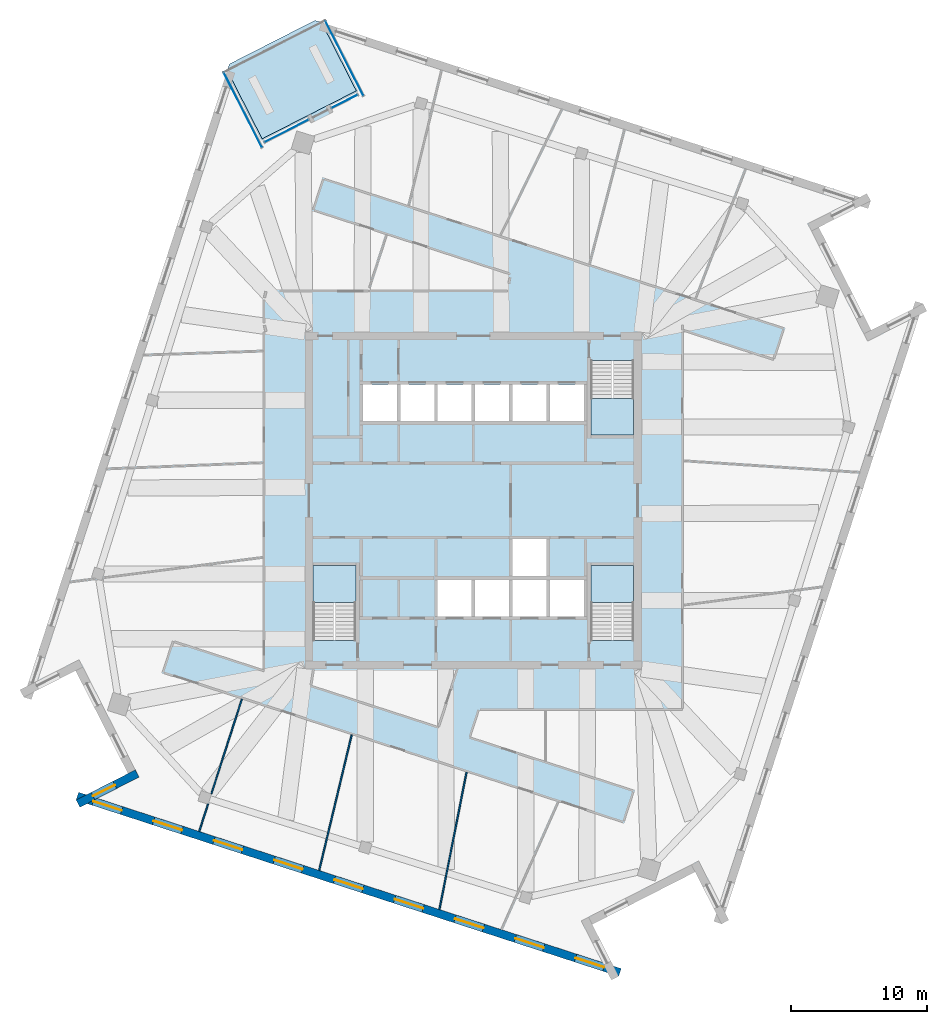
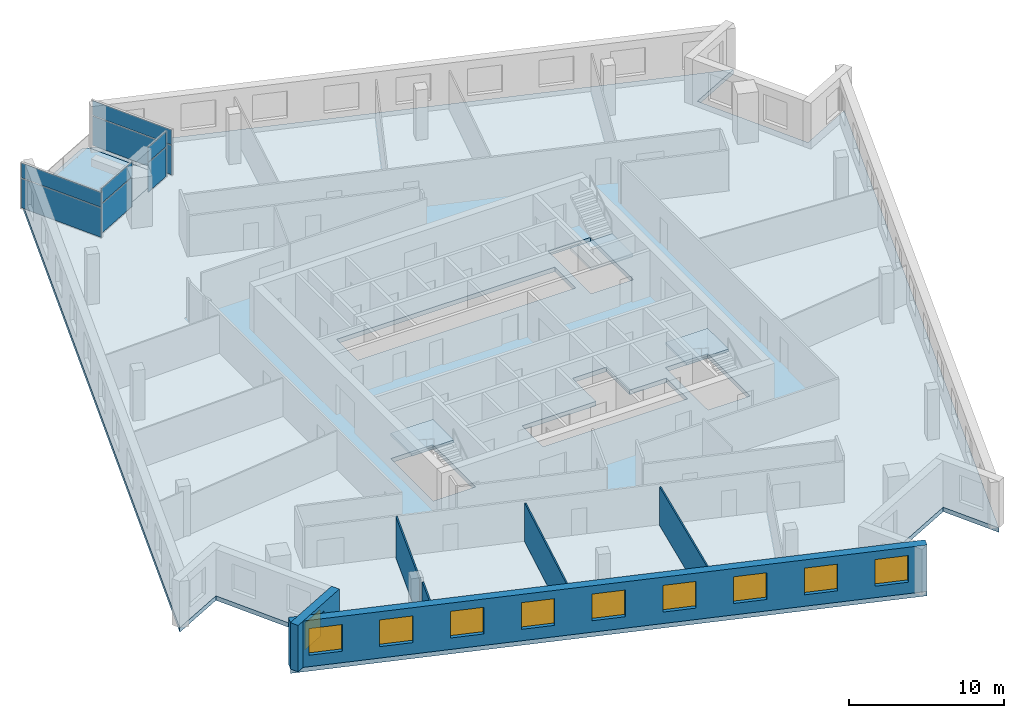
# One storey, part 5 of 13: 10 windows, 8 plates, 6 walls, 5 slabs, 10 openings, 7 elements without a shape of their own.
"""IFC4 building model written with IfcOpenShell, lengths in metres."""

from ifc_helpers import new_model, si_unit, direction, frame, frame_2d, origin, origin_2d, place, context, subcontext, project, spatial, polyline, rectangle, outline, extrude, material, layer, layer_set, type_object, element, fill, aggregate, save


model = new_model("IFC4")

# Units and contexts
model_context = context("Model", 3, precision=1e-05, world=origin(), true_north=direction((0.0, 1.0)))
body_context = subcontext(model_context, "Body", "Model", "MODEL_VIEW")
ifc_project = project(units=[si_unit("LENGTHUNIT", "METRE"), si_unit("AREAUNIT", "SQUARE_METRE"), si_unit("VOLUMEUNIT", "CUBIC_METRE"), si_unit("PLANEANGLEUNIT", "RADIAN"), si_unit("MASSUNIT", "GRAM", prefix="KILO")], contexts=[model_context])

# Site, building, storey
site_placement = place(None, origin())
site = spatial("IfcSite", under=ifc_project, at=site_placement, CompositionType="ELEMENT")
building_placement = place(site_placement, origin())
building = spatial("IfcBuilding", under=site, at=building_placement, Name="Dilmun Exchange Tower", CompositionType="ELEMENT")
storey_placement = place(building_placement, frame((0.0, 0.0, 316.5)))
storey = spatial("IfcBuildingStorey", under=building, at=storey_placement, Name="L75", CompositionType="ELEMENT", Elevation=316.5)

# Stair, slab
ifc_material_1 = material(Name="Concrete C40/50", Category="concrete")
stair_type = type_object("IfcStairType", Name="Exit stair 1500 half-turn", PredefinedType="HALF_TURN_STAIR", material=ifc_material_1)
stair_1_placement = place(storey_placement, origin())
stair_1 = element("IfcStair", 1, at=stair_1_placement, inside=storey, type_object=stair_type, Name="L75 Protected exit stair ST1", PredefinedType="HALF_TURN_STAIR")
ifc_layer_1 = layer(ifc_material_1, 0.199951171875)
ifc_layer_set_1 = layer_set([ifc_layer_1], Name="Concrete C40/50")
slab_type_1 = type_object("IfcSlabType", Name="Exit stair landing 200", PredefinedType="LANDING", material=ifc_layer_set_1)
slab_1_placement = place(storey_placement, frame((0.0, 0.0, 1.800048828125)))
slab_1 = element("IfcSlab", 2, at=slab_1_placement, type_object=slab_type_1, Name="ST1 landing 1", PredefinedType="LANDING", context=body_context, shape_type="SweptSolid", body=[
    extrude(outline(polyline([(8.64990234375, 7.5), (8.64990234375, 4.800048828125), (11.800048828125, 4.800048828125), (11.800048828125, 7.5), (8.64990234375, 7.5)])), origin(), (0.0, 0.0, 1.0), 0.199951171875),
])
aggregate(stair_1, [slab_1])

stair_2_placement = place(storey_placement, origin())
stair_2 = element("IfcStair", 3, at=stair_2_placement, inside=storey, type_object=stair_type, Name="L75 Protected exit stair ST2", PredefinedType="HALF_TURN_STAIR")
slab_2_placement = place(storey_placement, frame((0.0, 0.0, 1.800048828125)))
slab_2 = element("IfcSlab", 4, at=slab_2_placement, type_object=slab_type_1, Name="ST2 landing 1", PredefinedType="LANDING", context=body_context, shape_type="SweptSolid", body=[
    extrude(outline(polyline([(-8.64990234375, -7.5), (-8.64990234375, -4.800048828125), (-11.800048828125, -4.800048828125), (-11.800048828125, -7.5), (-8.64990234375, -7.5)])), origin(), (0.0, 0.0, 1.0), 0.199951171875),
])
aggregate(stair_2, [slab_2])

stair_3_placement = place(storey_placement, origin())
stair_3 = element("IfcStair", 5, at=stair_3_placement, inside=storey, type_object=stair_type, Name="L75 Protected exit stair ST3", PredefinedType="HALF_TURN_STAIR")
slab_3_placement = place(storey_placement, frame((0.0, 0.0, 1.800048828125)))
slab_3 = element("IfcSlab", 6, at=slab_3_placement, type_object=slab_type_1, Name="ST3 landing 1", PredefinedType="LANDING", context=body_context, shape_type="SweptSolid", body=[
    extrude(outline(polyline([(11.800048828125, -7.5), (11.800048828125, -4.800048828125), (8.64990234375, -4.800048828125), (8.64990234375, -7.5), (11.800048828125, -7.5)])), origin(), (0.0, 0.0, 1.0), 0.199951171875),
])
aggregate(stair_3, [slab_3])

# Curtain wall, plates
ifc_material_2 = material(Name="Anodised aluminium and clear glass", Category="aluminium")
curtain_wall_type = type_object("IfcCurtainWallType", Name="Garden corner glazing", PredefinedType="NOTDEFINED", material=ifc_material_2)
curtain_wall_1_placement = place(storey_placement, origin())
curtain_wall_1 = element("IfcCurtainWall", 7, at=curtain_wall_1_placement, inside=storey, type_object=curtain_wall_type, Name="Garden corner glazing run GC1.1", PredefinedType="NOTDEFINED")
ifc_material_3 = material(Name="Clear glass", Category="glass")
ifc_layer_2 = layer(ifc_material_3, 0.028076171875)
ifc_layer_set_2 = layer_set([ifc_layer_2], Name="Clear glass")
plate_type = type_object("IfcPlateType", Name="Garden corner glazing glass panel 28", PredefinedType="CURTAIN_PANEL", material=ifc_layer_set_2)
plate_1_placement = place(storey_placement, frame((-9.491943359375, 32.529052734375, 0.06005859375), z_axis=(0.0, 0.0, 1.0), x_axis=(0.453982137668, -0.891010784827, 0.0)))
plate_1 = element("IfcPlate", 8, at=plate_1_placement, type_object=plate_type, Name="GC1.1 panel 1.1", PredefinedType="CURTAIN_PANEL", context=body_context, shape_type="SweptSolid", body=[
    extrude(rectangle(XDim=6.12646484375, YDim=0.028076171875, at=origin_2d()), origin(), (0.0, 0.0, 1.0), 2.31005859375),
])
plate_2_placement = place(storey_placement, frame((-9.491943359375, 32.529052734375, 2.43017578125), z_axis=(0.0, 0.0, 1.0), x_axis=(0.453982137668, -0.891010784827, 0.0)))
plate_2 = element("IfcPlate", 9, at=plate_2_placement, type_object=plate_type, Name="GC1.1 panel 1.2", PredefinedType="CURTAIN_PANEL", context=body_context, shape_type="SweptSolid", body=[
    extrude(rectangle(XDim=6.12646484375, YDim=0.028076171875, at=origin_2d()), origin(), (0.0, 0.0, 1.0), 1.159912109375),
])
aggregate(curtain_wall_1, [plate_1, plate_2])

curtain_wall_2_placement = place(storey_placement, origin())
curtain_wall_2 = element("IfcCurtainWall", 10, at=curtain_wall_2_placement, inside=storey, type_object=curtain_wall_type, Name="Garden corner glazing run GC2.1", PredefinedType="NOTDEFINED")
plate_3_placement = place(storey_placement, frame((-9.47509765625, 29.368896484375, 0.06005859375), z_axis=(0.0, 0.0, 1.0), x_axis=(-0.891007115267, -0.453989339681, 0.0)))
plate_3 = element("IfcPlate", 11, at=plate_3_placement, type_object=plate_type, Name="GC2.1 panel 1.1", PredefinedType="CURTAIN_PANEL", context=body_context, shape_type="SweptSolid", body=[
    extrude(rectangle(XDim=2.119140625, YDim=0.028076171875, at=origin_2d()), origin(), (0.0, 0.0, 1.0), 2.31005859375),
])
plate_4_placement = place(storey_placement, frame((-9.47509765625, 29.368896484375, 2.43017578125), z_axis=(0.0, 0.0, 1.0), x_axis=(-0.891007115267, -0.453989339681, 0.0)))
plate_4 = element("IfcPlate", 12, at=plate_4_placement, type_object=plate_type, Name="GC2.1 panel 1.2", PredefinedType="CURTAIN_PANEL", context=body_context, shape_type="SweptSolid", body=[
    extrude(rectangle(XDim=2.119140625, YDim=0.028076171875, at=origin_2d()), origin(), (0.0, 0.0, 1.0), 1.159912109375),
])
aggregate(curtain_wall_2, [plate_3, plate_4])

curtain_wall_3_placement = place(storey_placement, origin())
curtain_wall_3 = element("IfcCurtainWall", 13, at=curtain_wall_3_placement, inside=storey, type_object=curtain_wall_type, Name="Garden corner glazing run GC2.3", PredefinedType="NOTDEFINED")
plate_5_placement = place(storey_placement, frame((-13.7421875, 27.19482421875, 0.06005859375), z_axis=(0.0, 0.0, 1.0), x_axis=(-0.891010309204, -0.453983071152, 0.0)))
plate_5 = element("IfcPlate", 14, at=plate_5_placement, type_object=plate_type, Name="GC2.3 panel 1.1", PredefinedType="CURTAIN_PANEL", context=body_context, shape_type="SweptSolid", body=[
    extrude(rectangle(XDim=3.619140625, YDim=0.028076171875, at=origin_2d()), origin(), (0.0, 0.0, 1.0), 2.31005859375),
])
plate_6_placement = place(storey_placement, frame((-13.7421875, 27.19482421875, 2.43017578125), z_axis=(0.0, 0.0, 1.0), x_axis=(-0.891010309204, -0.453983071152, 0.0)))
plate_6 = element("IfcPlate", 15, at=plate_6_placement, type_object=plate_type, Name="GC2.3 panel 1.2", PredefinedType="CURTAIN_PANEL", context=body_context, shape_type="SweptSolid", body=[
    extrude(rectangle(XDim=3.619140625, YDim=0.028076171875, at=origin_2d()), origin(), (0.0, 0.0, 1.0), 1.159912109375),
])
aggregate(curtain_wall_3, [plate_5, plate_6])

curtain_wall_4_placement = place(storey_placement, origin())
curtain_wall_4 = element("IfcCurtainWall", 16, at=curtain_wall_4_placement, inside=storey, type_object=curtain_wall_type, Name="Garden corner glazing run GC3.1", PredefinedType="NOTDEFINED")
plate_7_placement = place(storey_placement, frame((-16.95703125, 28.725341796875, 0.06005859375), z_axis=(0.0, 0.0, 1.0), x_axis=(-0.453988613418, 0.891007485315, 0.0)))
plate_7 = element("IfcPlate", 17, at=plate_7_placement, type_object=plate_type, Name="GC3.1 panel 1.1", PredefinedType="CURTAIN_PANEL", context=body_context, shape_type="SweptSolid", body=[
    extrude(rectangle(XDim=6.12646484375, YDim=0.028076171875, at=origin_2d()), origin(), (0.0, 0.0, 1.0), 2.31005859375),
])
plate_8_placement = place(storey_placement, frame((-16.95703125, 28.725341796875, 2.43017578125), z_axis=(0.0, 0.0, 1.0), x_axis=(-0.453988613418, 0.891007485315, 0.0)))
plate_8 = element("IfcPlate", 18, at=plate_8_placement, type_object=plate_type, Name="GC3.1 panel 1.2", PredefinedType="CURTAIN_PANEL", context=body_context, shape_type="SweptSolid", body=[
    extrude(rectangle(XDim=6.12646484375, YDim=0.028076171875, at=origin_2d()), origin(), (0.0, 0.0, 1.0), 1.159912109375),
])
aggregate(curtain_wall_4, [plate_7, plate_8])

# Slabs
ifc_layer_3 = layer(ifc_material_1, 0.35009765625)
ifc_layer_set_3 = layer_set([ifc_layer_3], Name="Concrete C40/50")
slab_type_2 = type_object("IfcSlabType", Name="RC floor slab 350", PredefinedType="FLOOR", material=ifc_layer_set_3)
slab_4_placement = place(storey_placement, frame((0.0, 0.0, -0.35009765625)))
element("IfcSlab", 19, at=slab_4_placement, inside=storey, type_object=slab_type_2, Name="Floor slab", PredefinedType="FLOOR", context=body_context, shape_type="SweptSolid", body=[
    extrude(outline(polyline([(25.414306640625, 20.10009765625), (29.273193359375, 12.5263671875), (33.091796875, 14.471923828125), (18.265380859375, -31.158935546875), (16.319580078125, -27.340576171875), (8.74609375, -31.199462890625), (10.69189453125, -35.017822265625), (-29.23291015625, -22.045654296875), (-25.414306640625, -20.10009765625), (-29.273193359375, -12.5263671875), (-33.091796875, -14.471923828125), (-18.107666015625, 31.644287109375), (-15.544189453125, 26.61328125), (-8.61376953125, 30.14453125), (-11.17724609375, 35.175537109375), (29.23291015625, 22.045654296875), (25.414306640625, 20.10009765625)]), holes=[polyline([(-8.64990234375, -4.800048828125), (-11.800048828125, -4.800048828125), (-11.800048828125, -10.294921875), (-8.64990234375, -10.294921875), (-8.64990234375, -4.800048828125)]), polyline([(11.800048828125, -4.800048828125), (8.64990234375, -4.800048828125), (8.64990234375, -10.294921875), (11.800048828125, -10.294921875), (11.800048828125, -4.800048828125)]), polyline([(2.875, -5.85009765625), (-2.625, -5.85009765625), (-2.625, -8.550048828125), (8.125, -8.550048828125), (8.125, -5.85009765625), (5.375, -5.85009765625), (5.375, -2.85009765625), (2.875, -2.85009765625), (2.875, -5.85009765625)]), polyline([(8.125, 5.85009765625), (8.125, 8.550048828125), (-8.125, 8.550048828125), (-8.125, 5.85009765625), (8.125, 5.85009765625)]), polyline([(8.64990234375, 10.294921875), (8.64990234375, 4.800048828125), (11.800048828125, 4.800048828125), (11.800048828125, 10.294921875), (8.64990234375, 10.294921875)])]), origin(), (0.0, 0.0, 1.0), 0.35009765625),
])
ifc_layer_4 = layer(ifc_material_1, 0.300048828125)
ifc_layer_set_4 = layer_set([ifc_layer_4], Name="Concrete C40/50")
slab_type_3 = type_object("IfcSlabType", Name="RC garden terrace slab 300", PredefinedType="FLOOR", material=ifc_layer_set_4)
slab_5_placement = place(storey_placement, frame((0.0, 0.0, -0.300048828125)))
element("IfcSlab", 20, at=slab_5_placement, inside=storey, type_object=slab_type_3, Name="Garden terrace slab", PredefinedType="FLOOR", context=body_context, shape_type="SweptSolid", body=[
    extrude(outline(polyline([(-15.544189453125, 26.61328125), (-18.107666015625, 31.644287109375), (-17.953125, 32.119873046875), (-11.652587890625, 35.330078125), (-11.17724609375, 35.175537109375), (-8.61376953125, 30.14453125), (-15.544189453125, 26.61328125)])), origin(), (0.0, 0.0, 1.0), 0.300048828125),
])

# Walls
ifc_material_4 = material(Name="Partition 100")
ifc_layer_5 = layer(ifc_material_4, 0.10009765625)
ifc_layer_set_5 = layer_set([ifc_layer_5], Name="Partition 100")
wall_type_1 = type_object("IfcWallType", Name="Partition 100", PredefinedType="PARTITIONING", material=ifc_layer_set_5)
wall_1_placement = place(storey_placement, frame((-20.17626953125, -24.355224609375, 0.0), z_axis=(0.0, 0.0, 1.0), x_axis=(0.307097655816, 0.951678007412, 0.0)))
element("IfcWall", 21, at=wall_1_placement, inside=storey, type_object=wall_type_1, Name="Partition", PredefinedType="PARTITIONING", context=body_context, shape_type="SweptSolid", body=[
    extrude(rectangle(XDim=2.105224609375, YDim=0.10009765625, at=frame_2d((1.052734375, 0.0))), origin(), (0.0, 0.0, 1.0), 3.64990234375),
])
wall_2_placement = place(storey_placement, frame((-19.2841796875, -21.59033203125, 0.0), z_axis=(0.0, 0.0, 1.0), x_axis=(0.307047557854, 0.951694172103, 0.0)))
element("IfcWall", 22, at=wall_2_placement, inside=storey, type_object=wall_type_1, Name="Partition", PredefinedType="PARTITIONING", context=body_context, shape_type="SweptSolid", body=[
    extrude(rectangle(XDim=7.327880859375, YDim=0.10009765625, at=frame_2d((3.6640625, 0.0))), origin(), (0.0, 0.0, 1.0), 3.25),
])
wall_3_placement = place(storey_placement, frame((-11.34716796875, -27.223876953125, 0.0), z_axis=(0.0, 0.0, 1.0), x_axis=(0.233270362444, 0.972411917865, 0.0)))
element("IfcWall", 23, at=wall_3_placement, inside=storey, type_object=wall_type_1, Name="Partition", PredefinedType="PARTITIONING", context=body_context, shape_type="SweptSolid", body=[
    extrude(rectangle(XDim=10.2607421875, YDim=0.10009765625, at=frame_2d((5.13037109375, 0.0))), origin(), (0.0, 0.0, 1.0), 3.050048828125),
])
wall_4_placement = place(storey_placement, frame((-2.498291015625, -30.09912109375, 0.0), z_axis=(0.0, 0.0, 1.0), x_axis=(0.193832041147, 0.981034729164, 0.0)))
element("IfcWall", 24, at=wall_4_placement, inside=storey, type_object=wall_type_1, Name="Partition", PredefinedType="PARTITIONING", context=body_context, shape_type="SweptSolid", body=[
    extrude(rectangle(XDim=10.300537109375, YDim=0.10009765625, at=frame_2d((5.150390625, 0.0))), origin(), (0.0, 0.0, 1.0), 3.050048828125),
])

# Wall, opening, window
ifc_material_5 = material(Name="Precast concrete C50/60", Category="concrete")
ifc_layer_6 = layer(ifc_material_5, 0.60009765625)
ifc_layer_set_6 = layer_set([ifc_layer_6], Name="Precast concrete C50/60")
wall_type_2 = type_object("IfcWallType", Name="Precast stone-clad wall 600", PredefinedType="STANDARD", material=ifc_layer_set_6)
wall_5_placement = place(storey_placement, frame((-24.74365234375, -20.094970703125, 0.0), z_axis=(0.0, 0.0, 1.0), x_axis=(-0.891003264926, -0.453996896346, 0.0)))
wall_5 = element("IfcWall", 25, at=wall_5_placement, inside=storey, type_object=wall_type_2, Name="Facade wall L75-06", PredefinedType="STANDARD", context=body_context, shape_type="SweptSolid", body=[
    extrude(rectangle(XDim=4.885498046875, YDim=0.60009765625, at=frame_2d((2.44287109375, 0.0))), origin(), (0.0, 0.0, 1.0), 3.64990234375),
])
opening_1_placement = place(wall_5_placement, frame((1.8427734375, 0.0, 0.89990234375)))
opening_1 = element("IfcOpeningElement", 26, at=opening_1_placement, cuts=wall_5, Name="Opening W180-210", PredefinedType="OPENING", context=body_context, shape_type="SweptSolid", body=[
    extrude(rectangle(XDim=1.800048828125, YDim=2.10009765625, at=frame_2d((0.89990234375, 1.050048828125))), frame((0.0, 0.31005859375, 0.0), z_axis=(0.0, -1.0, 0.0), x_axis=(1.0, 0.0, 0.0)), (0.0, 0.0, 1.0), 0.6201171875),
])
ifc_material_6 = material(Name="Clear low-emissivity glass in aluminium frame", Category="aluminium")
window_type_1 = type_object("IfcWindowType", Name="Punched window 1800 x 2100", PartitioningType="DOUBLE_PANEL_VERTICAL", PredefinedType="WINDOW", material=ifc_material_6)
window_1_placement = place(opening_1_placement, origin())
window_1 = element("IfcWindow", 27, at=window_1_placement, inside=storey, type_object=window_type_1, Name="Window 7.1", OverallHeight=2.10009765625, OverallWidth=1.800048828125, PartitioningType="SINGLE_PANEL", PredefinedType="WINDOW", context=body_context, shape_type="SweptSolid", body=[
    extrude(rectangle(XDim=1.800048828125, YDim=2.10009765625, at=frame_2d((0.89990234375, 1.050048828125))), frame((0.0, 0.030029296875, 0.0), z_axis=(0.0, -1.0, 0.0), x_axis=(1.0, 0.0, 0.0)), (0.0, 0.0, 1.0), 0.06005859375),
])
fill(opening_1, window_1)

# Wall, openings, windows
wall_6_placement = place(storey_placement, frame((-29.14013671875, -21.76025390625, 0.0), z_axis=(0.0, 0.0, 1.0), x_axis=(0.951057273207, -0.309014664831, 0.0)))
wall_6 = element("IfcWall", 28, at=wall_6_placement, inside=storey, type_object=wall_type_2, Name="Facade wall L75-07", PredefinedType="STANDARD", context=body_context, shape_type="SweptSolid", body=[
    extrude(rectangle(XDim=41.979248046875, YDim=0.60009765625, at=frame_2d((20.98974609375, 0.0))), origin(), (0.0, 0.0, 1.0), 3.64990234375),
])
opening_2_placement = place(wall_6_placement, frame((1.232177734375, 0.0, 0.89990234375)))
opening_2 = element("IfcOpeningElement", 29, at=opening_2_placement, cuts=wall_6, Name="Opening W220-210", PredefinedType="OPENING", context=body_context, shape_type="SweptSolid", body=[
    extrude(rectangle(XDim=2.199951171875, YDim=2.10009765625, at=frame_2d((1.10009765625, 1.050048828125))), frame((0.0, 0.31005859375, 0.0), z_axis=(0.0, -1.0, 0.0), x_axis=(1.0, 0.0, 0.0)), (0.0, 0.0, 1.0), 0.6201171875),
])
opening_3_placement = place(wall_6_placement, frame((5.896484375, 0.0, 0.89990234375)))
opening_3 = element("IfcOpeningElement", 30, at=opening_3_placement, cuts=wall_6, Name="Opening W220-210", PredefinedType="OPENING", context=body_context, shape_type="SweptSolid", body=[
    extrude(rectangle(XDim=2.199951171875, YDim=2.10009765625, at=frame_2d((1.10009765625, 1.050048828125))), frame((0.0, 0.31005859375, 0.0), z_axis=(0.0, -1.0, 0.0), x_axis=(1.0, 0.0, 0.0)), (0.0, 0.0, 1.0), 0.6201171875),
])
opening_4_placement = place(wall_6_placement, frame((10.560791015625, 0.0, 0.89990234375)))
opening_4 = element("IfcOpeningElement", 31, at=opening_4_placement, cuts=wall_6, Name="Opening W220-210", PredefinedType="OPENING", context=body_context, shape_type="SweptSolid", body=[
    extrude(rectangle(XDim=2.199951171875, YDim=2.10009765625, at=frame_2d((1.10009765625, 1.050048828125))), frame((0.0, 0.31005859375, 0.0), z_axis=(0.0, -1.0, 0.0), x_axis=(1.0, 0.0, 0.0)), (0.0, 0.0, 1.0), 0.6201171875),
])
opening_5_placement = place(wall_6_placement, frame((15.22509765625, 0.0, 0.89990234375)))
opening_5 = element("IfcOpeningElement", 32, at=opening_5_placement, cuts=wall_6, Name="Opening W220-210", PredefinedType="OPENING", context=body_context, shape_type="SweptSolid", body=[
    extrude(rectangle(XDim=2.199951171875, YDim=2.10009765625, at=frame_2d((1.10009765625, 1.050048828125))), frame((0.0, 0.31005859375, 0.0), z_axis=(0.0, -1.0, 0.0), x_axis=(1.0, 0.0, 0.0)), (0.0, 0.0, 1.0), 0.6201171875),
])
opening_6_placement = place(wall_6_placement, frame((19.8896484375, 0.0, 0.89990234375)))
opening_6 = element("IfcOpeningElement", 33, at=opening_6_placement, cuts=wall_6, Name="Opening W220-210", PredefinedType="OPENING", context=body_context, shape_type="SweptSolid", body=[
    extrude(rectangle(XDim=2.199951171875, YDim=2.10009765625, at=frame_2d((1.10009765625, 1.050048828125))), frame((0.0, 0.31005859375, 0.0), z_axis=(0.0, -1.0, 0.0), x_axis=(1.0, 0.0, 0.0)), (0.0, 0.0, 1.0), 0.6201171875),
])
opening_7_placement = place(wall_6_placement, frame((24.553955078125, 0.0, 0.89990234375)))
opening_7 = element("IfcOpeningElement", 34, at=opening_7_placement, cuts=wall_6, Name="Opening W220-210", PredefinedType="OPENING", context=body_context, shape_type="SweptSolid", body=[
    extrude(rectangle(XDim=2.199951171875, YDim=2.10009765625, at=frame_2d((1.10009765625, 1.050048828125))), frame((0.0, 0.31005859375, 0.0), z_axis=(0.0, -1.0, 0.0), x_axis=(1.0, 0.0, 0.0)), (0.0, 0.0, 1.0), 0.6201171875),
])
opening_8_placement = place(wall_6_placement, frame((29.21826171875, 0.0, 0.89990234375)))
opening_8 = element("IfcOpeningElement", 35, at=opening_8_placement, cuts=wall_6, Name="Opening W220-210", PredefinedType="OPENING", context=body_context, shape_type="SweptSolid", body=[
    extrude(rectangle(XDim=2.199951171875, YDim=2.10009765625, at=frame_2d((1.10009765625, 1.050048828125))), frame((0.0, 0.31005859375, 0.0), z_axis=(0.0, -1.0, 0.0), x_axis=(1.0, 0.0, 0.0)), (0.0, 0.0, 1.0), 0.6201171875),
])
opening_9_placement = place(wall_6_placement, frame((33.8828125, 0.0, 0.89990234375)))
opening_9 = element("IfcOpeningElement", 36, at=opening_9_placement, cuts=wall_6, Name="Opening W220-210", PredefinedType="OPENING", context=body_context, shape_type="SweptSolid", body=[
    extrude(rectangle(XDim=2.199951171875, YDim=2.10009765625, at=frame_2d((1.10009765625, 1.050048828125))), frame((0.0, 0.31005859375, 0.0), z_axis=(0.0, -1.0, 0.0), x_axis=(1.0, 0.0, 0.0)), (0.0, 0.0, 1.0), 0.6201171875),
])
opening_10_placement = place(wall_6_placement, frame((38.547119140625, 0.0, 0.89990234375)))
opening_10 = element("IfcOpeningElement", 37, at=opening_10_placement, cuts=wall_6, Name="Opening W220-210", PredefinedType="OPENING", context=body_context, shape_type="SweptSolid", body=[
    extrude(rectangle(XDim=2.199951171875, YDim=2.10009765625, at=frame_2d((1.10009765625, 1.050048828125))), frame((0.0, 0.31005859375, 0.0), z_axis=(0.0, -1.0, 0.0), x_axis=(1.0, 0.0, 0.0)), (0.0, 0.0, 1.0), 0.6201171875),
])
window_type_2 = type_object("IfcWindowType", Name="Punched window 2200 x 2100", PartitioningType="DOUBLE_PANEL_VERTICAL", PredefinedType="WINDOW", material=ifc_material_6)
window_2_placement = place(opening_2_placement, origin())
window_2 = element("IfcWindow", 38, at=window_2_placement, inside=storey, type_object=window_type_2, Name="Window 8.1", OverallHeight=2.10009765625, OverallWidth=2.199951171875, PartitioningType="SINGLE_PANEL", PredefinedType="WINDOW", context=body_context, shape_type="SweptSolid", body=[
    extrude(rectangle(XDim=2.199951171875, YDim=2.10009765625, at=frame_2d((1.10009765625, 1.050048828125))), frame((0.0, 0.030029296875, 0.0), z_axis=(0.0, -1.0, 0.0), x_axis=(1.0, 0.0, 0.0)), (0.0, 0.0, 1.0), 0.06005859375),
])
fill(opening_2, window_2)
window_3_placement = place(opening_3_placement, origin())
window_3 = element("IfcWindow", 39, at=window_3_placement, inside=storey, type_object=window_type_2, Name="Window 8.2", OverallHeight=2.10009765625, OverallWidth=2.199951171875, PartitioningType="SINGLE_PANEL", PredefinedType="WINDOW", context=body_context, shape_type="SweptSolid", body=[
    extrude(rectangle(XDim=2.199951171875, YDim=2.10009765625, at=frame_2d((1.10009765625, 1.050048828125))), frame((0.0, 0.030029296875, 0.0), z_axis=(0.0, -1.0, 0.0), x_axis=(1.0, 0.0, 0.0)), (0.0, 0.0, 1.0), 0.06005859375),
])
fill(opening_3, window_3)
window_4_placement = place(opening_4_placement, origin())
window_4 = element("IfcWindow", 40, at=window_4_placement, inside=storey, type_object=window_type_2, Name="Window 8.3", OverallHeight=2.10009765625, OverallWidth=2.199951171875, PartitioningType="SINGLE_PANEL", PredefinedType="WINDOW", context=body_context, shape_type="SweptSolid", body=[
    extrude(rectangle(XDim=2.199951171875, YDim=2.10009765625, at=frame_2d((1.10009765625, 1.050048828125))), frame((0.0, 0.030029296875, 0.0), z_axis=(0.0, -1.0, 0.0), x_axis=(1.0, 0.0, 0.0)), (0.0, 0.0, 1.0), 0.06005859375),
])
fill(opening_4, window_4)
window_5_placement = place(opening_5_placement, origin())
window_5 = element("IfcWindow", 41, at=window_5_placement, inside=storey, type_object=window_type_2, Name="Window 8.4", OverallHeight=2.10009765625, OverallWidth=2.199951171875, PartitioningType="SINGLE_PANEL", PredefinedType="WINDOW", context=body_context, shape_type="SweptSolid", body=[
    extrude(rectangle(XDim=2.199951171875, YDim=2.10009765625, at=frame_2d((1.10009765625, 1.050048828125))), frame((0.0, 0.030029296875, 0.0), z_axis=(0.0, -1.0, 0.0), x_axis=(1.0, 0.0, 0.0)), (0.0, 0.0, 1.0), 0.06005859375),
])
fill(opening_5, window_5)
window_6_placement = place(opening_6_placement, origin())
window_6 = element("IfcWindow", 42, at=window_6_placement, inside=storey, type_object=window_type_2, Name="Window 8.5", OverallHeight=2.10009765625, OverallWidth=2.199951171875, PartitioningType="SINGLE_PANEL", PredefinedType="WINDOW", context=body_context, shape_type="SweptSolid", body=[
    extrude(rectangle(XDim=2.199951171875, YDim=2.10009765625, at=frame_2d((1.10009765625, 1.050048828125))), frame((0.0, 0.030029296875, 0.0), z_axis=(0.0, -1.0, 0.0), x_axis=(1.0, 0.0, 0.0)), (0.0, 0.0, 1.0), 0.06005859375),
])
fill(opening_6, window_6)
window_7_placement = place(opening_7_placement, origin())
window_7 = element("IfcWindow", 43, at=window_7_placement, inside=storey, type_object=window_type_2, Name="Window 8.6", OverallHeight=2.10009765625, OverallWidth=2.199951171875, PartitioningType="SINGLE_PANEL", PredefinedType="WINDOW", context=body_context, shape_type="SweptSolid", body=[
    extrude(rectangle(XDim=2.199951171875, YDim=2.10009765625, at=frame_2d((1.10009765625, 1.050048828125))), frame((0.0, 0.030029296875, 0.0), z_axis=(0.0, -1.0, 0.0), x_axis=(1.0, 0.0, 0.0)), (0.0, 0.0, 1.0), 0.06005859375),
])
fill(opening_7, window_7)
window_8_placement = place(opening_8_placement, origin())
window_8 = element("IfcWindow", 44, at=window_8_placement, inside=storey, type_object=window_type_2, Name="Window 8.7", OverallHeight=2.10009765625, OverallWidth=2.199951171875, PartitioningType="SINGLE_PANEL", PredefinedType="WINDOW", context=body_context, shape_type="SweptSolid", body=[
    extrude(rectangle(XDim=2.199951171875, YDim=2.10009765625, at=frame_2d((1.10009765625, 1.050048828125))), frame((0.0, 0.030029296875, 0.0), z_axis=(0.0, -1.0, 0.0), x_axis=(1.0, 0.0, 0.0)), (0.0, 0.0, 1.0), 0.06005859375),
])
fill(opening_8, window_8)
window_9_placement = place(opening_9_placement, origin())
window_9 = element("IfcWindow", 45, at=window_9_placement, inside=storey, type_object=window_type_2, Name="Window 8.8", OverallHeight=2.10009765625, OverallWidth=2.199951171875, PartitioningType="SINGLE_PANEL", PredefinedType="WINDOW", context=body_context, shape_type="SweptSolid", body=[
    extrude(rectangle(XDim=2.199951171875, YDim=2.10009765625, at=frame_2d((1.10009765625, 1.050048828125))), frame((0.0, 0.030029296875, 0.0), z_axis=(0.0, -1.0, 0.0), x_axis=(1.0, 0.0, 0.0)), (0.0, 0.0, 1.0), 0.06005859375),
])
fill(opening_9, window_9)
window_10_placement = place(opening_10_placement, origin())
window_10 = element("IfcWindow", 46, at=window_10_placement, inside=storey, type_object=window_type_2, Name="Window 8.9", OverallHeight=2.10009765625, OverallWidth=2.199951171875, PartitioningType="SINGLE_PANEL", PredefinedType="WINDOW", context=body_context, shape_type="SweptSolid", body=[
    extrude(rectangle(XDim=2.199951171875, YDim=2.10009765625, at=frame_2d((1.10009765625, 1.050048828125))), frame((0.0, 0.030029296875, 0.0), z_axis=(0.0, -1.0, 0.0), x_axis=(1.0, 0.0, 0.0)), (0.0, 0.0, 1.0), 0.06005859375),
])
fill(opening_10, window_10)

save(model, "model.ifc")
